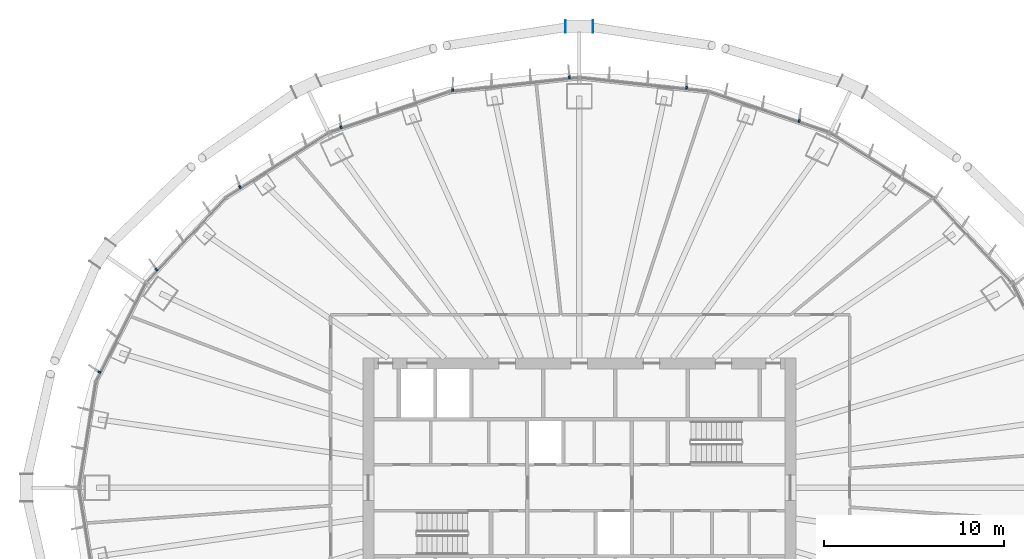
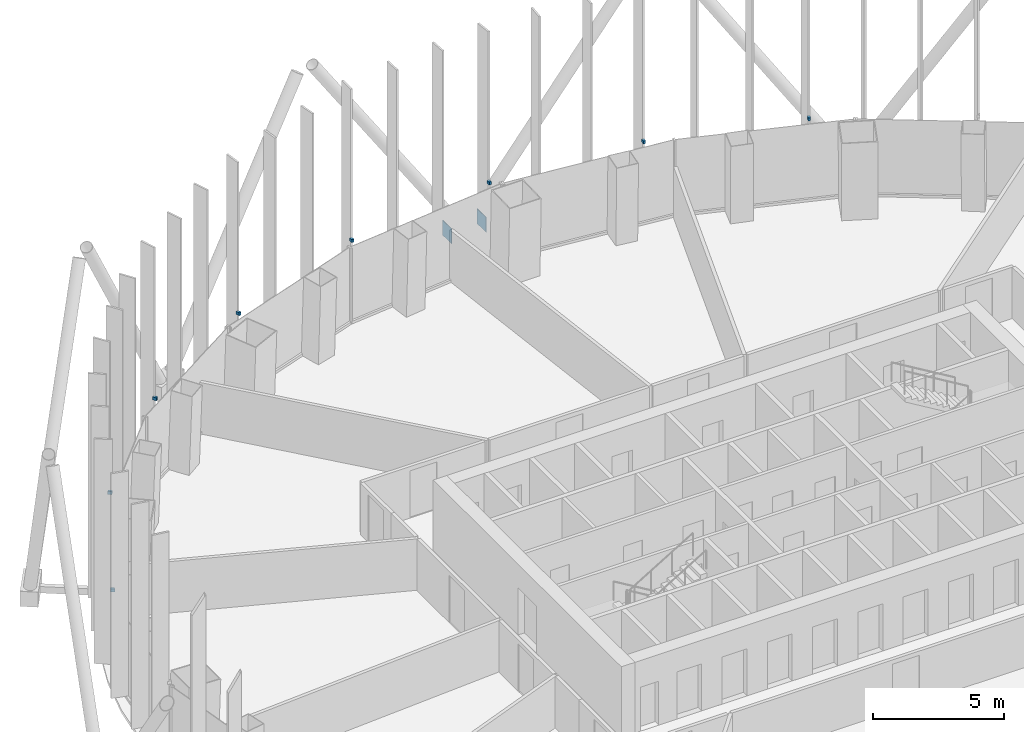
# One storey, part 17 of 22: 10 discrete accessories.
"""IFC4 building model written with IfcOpenShell, lengths in metres."""

from ifc_helpers import new_model, si_unit, direction, frame, origin, origin_2d, place, context, subcontext, project, spatial, rectangle, extrude, material, layer, layer_set, type_object, element, save


model = new_model("IFC4")

# Units and contexts
model_context = context("Model", 3, precision=1e-05, world=origin(), true_north=direction((0.0, 1.0)))
body_context = subcontext(model_context, "Body", "Model", "MODEL_VIEW")
ifc_project = project(units=[si_unit("LENGTHUNIT", "METRE"), si_unit("AREAUNIT", "SQUARE_METRE"), si_unit("VOLUMEUNIT", "CUBIC_METRE"), si_unit("PLANEANGLEUNIT", "RADIAN"), si_unit("MASSUNIT", "GRAM", prefix="KILO")], contexts=[model_context])

# Site, building, storey
site_placement = place(None, origin())
site = spatial("IfcSite", under=ifc_project, at=site_placement, CompositionType="ELEMENT")
building_placement = place(site_placement, origin())
building = spatial("IfcBuilding", under=site, at=building_placement, Name="Siaravel Broadcast Tower", CompositionType="ELEMENT")
storey_placement = place(building_placement, frame((0.0, 0.0, 48.199951171875)))
storey = spatial("IfcBuildingStorey", under=building, at=storey_placement, Name="L10", CompositionType="ELEMENT", Elevation=48.199951171875)

# Discrete accessories
ifc_material_1 = material(Name="Stainless steel 316", Category="steel")
discrete_accessory_type_1 = type_object("IfcDiscreteAccessoryType", Name="Stainless steel fin bracket", PredefinedType="USERDEFINED", material=ifc_material_1)
for number, where, z_axis, x_axis, name in (
    (1, (12.18896484375, 20.3447265625, 3.68994140625), (0.0, 0.0, 1.0), (0.321300635, 0.946977245, 0.0), "Fin bracket L10-13"),
    (2, (5.9443359375, 22.174072265625, 3.68994140625), (0.0, 0.0, 1.0), (0.107216783, 0.994235667, 0.0), "Fin bracket L10-16"),
    (3, (-0.54931640625, 22.755859375, 3.68994140625), (0.0, 0.0, 1.0), (-0.107216783, 0.994235667, 0.0), "Fin bracket L10-19"),
    (4, (-7.023193359375, 22.0576171875, 3.68994140625), (0.0, 0.0, 1.0), (-0.107216783, 0.994235667, 0.0), "Fin bracket L10-22"),
    (5, (-13.216796875, 19.99609375, 3.68994140625), (0.0, 0.0, 1.0), (-0.321300635, 0.946977245, 0.0), "Fin bracket L10-25"),
    (6, (-18.8203125, 16.672119140625, 3.68994140625), (0.0, 0.0, 1.0), (-0.532149452, 0.846650436, 0.0), "Fin bracket L10-28"),
    (7, (-23.4501953125, 12.099609375, 3.68994140625), (0.0, 0.0, 1.0), (-0.729805608, 0.683654718, 0.0), "Fin bracket L10-31"),
    (8, (-26.617431640625, 6.41748046875, 3.68994140625), (0.0, 0.0, 1.0), (-0.892392151, 0.451260732, 0.0), "Fin bracket L10-34"),
):
    element("IfcDiscreteAccessory", number, at=place(storey_placement, frame(where, z_axis=z_axis, x_axis=x_axis)), inside=storey, type_object=discrete_accessory_type_1, Name=name, ObjectType="BRACKET", PredefinedType="USERDEFINED", context=body_context, shape_type="SweptSolid", body=[
        extrude(rectangle(XDim=0.159912109375, YDim=0.10009765625, at=origin_2d()), origin(), (0.0, 0.0, 1.0), 0.139892578125),
    ])
ifc_material_2 = material(Name="Steel S355", Category="steel")
ifc_layer = layer(ifc_material_2, 0.02001953125)
ifc_layer_set = layer_set([ifc_layer], Name="Steel S355")
discrete_accessory_type_2 = type_object("IfcDiscreteAccessoryType", Name="Steel end plate 20 mm", PredefinedType="USERDEFINED", material=ifc_layer_set)
for number, where, z_axis, x_axis, name in (
    (9, (-0.763427734375, 25.58935546875, -0.5498046875), (0.0, 0.0, 1.0), (-1.0, 0.0, 0.0), "End plate R05 station 18A"),
    (10, (0.763427734375, 25.58935546875, -0.5498046875), (0.0, 0.0, 1.0), (-1.0, 0.0, 0.0), "End plate R05 station 18B"),
):
    element("IfcDiscreteAccessory", number, at=place(storey_placement, frame(where, z_axis=z_axis, x_axis=x_axis)), inside=storey, type_object=discrete_accessory_type_2, Name=name, ObjectType="END PLATE", PredefinedType="USERDEFINED", context=body_context, shape_type="SweptSolid", body=[
        extrude(rectangle(XDim=0.02001953125, YDim=0.699951171875, at=origin_2d()), origin(), (0.0, 0.0, 1.0), 0.699951171875),
    ])

save(model, "model.ifc")
